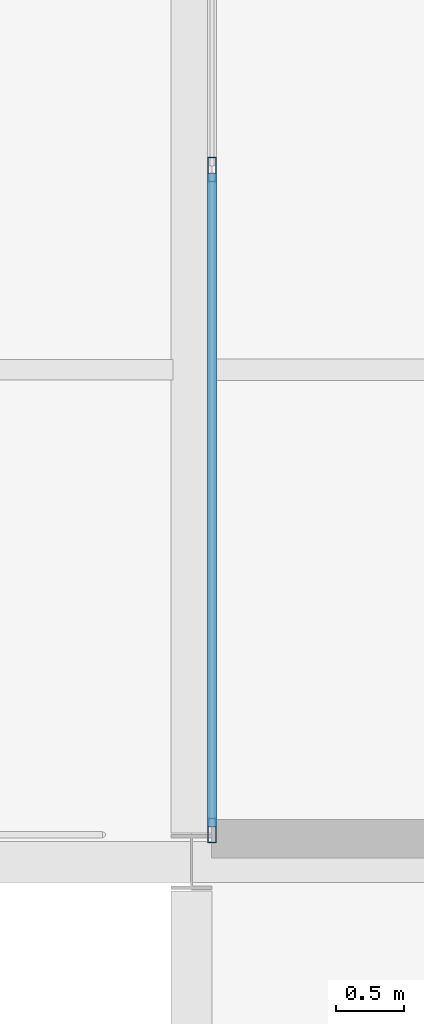
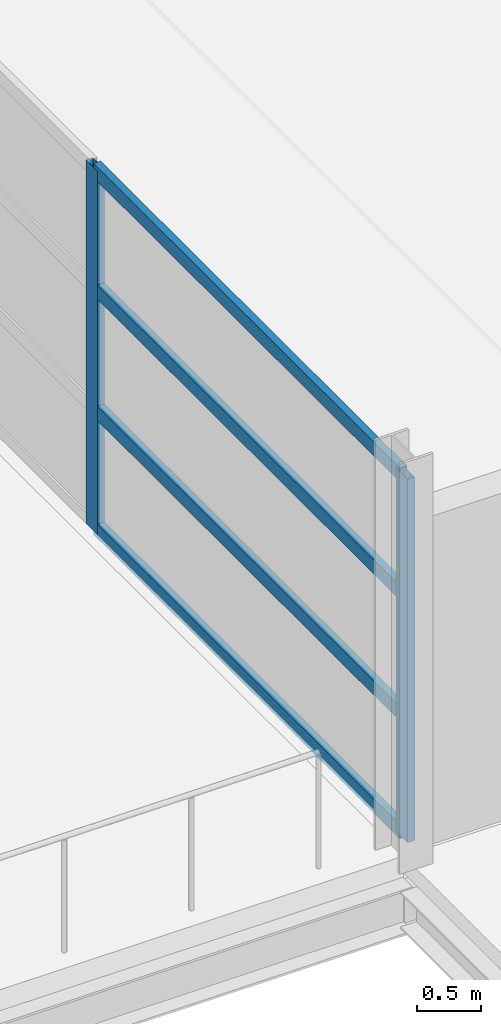
# One storey, part 6 of 33: 6 members, 1 element without a shape of its own.
"""IFC4 building model written with IfcOpenShell, lengths in metres."""

from ifc_helpers import new_model, si_unit, direction, frame, origin, origin_2d, place, context, subcontext, project, spatial, hollow_rectangle, extrude, material, layer, layer_set, material_profile, profile_set, type_object, element, aggregate, save


model = new_model("IFC4")

# Units and contexts
model_context = context("Model", 3, precision=1e-05, world=origin(), true_north=direction((0.0, 1.0)))
body_context = subcontext(model_context, "Body", "Model", "MODEL_VIEW")
ifc_project = project(units=[si_unit("LENGTHUNIT", "METRE"), si_unit("AREAUNIT", "SQUARE_METRE"), si_unit("VOLUMEUNIT", "CUBIC_METRE"), si_unit("PLANEANGLEUNIT", "RADIAN"), si_unit("MASSUNIT", "GRAM", prefix="KILO")], contexts=[model_context])

# Site, building, storey
site_placement = place(None, origin())
site = spatial("IfcSite", under=ifc_project, at=site_placement, CompositionType="ELEMENT")
building_placement = place(site_placement, origin())
building = spatial("IfcBuilding", under=site, at=building_placement, Name="Tamarisk Ironworks Central Station", CompositionType="ELEMENT")
storey_placement = place(building_placement, frame((0.0, 0.0, 21.300048828125)))
storey = spatial("IfcBuildingStorey", under=building, at=storey_placement, Name="L04", CompositionType="ELEMENT", Elevation=21.300048828125)

# Curtain wall, members
ifc_material = material(Name="Anodized aluminium alloy 6063-T6", Category="aluminium")
ifc_layer = layer(ifc_material, 0.179931640625)
ifc_layer_set = layer_set([ifc_layer], Name="Anodized aluminium alloy 6063-T6")
curtain_wall_type = type_object("IfcCurtainWallType", Name="CW-19", PredefinedType="USERDEFINED", material=ifc_layer_set)
curtain_wall_placement = place(storey_placement, origin())
curtain_wall = element("IfcCurtainWall", 1, at=curtain_wall_placement, inside=storey, type_object=curtain_wall_type, Name="Crown terrace overlook curtain wall L04-156", ObjectType="GLAZED CURTAIN WALL", PredefinedType="USERDEFINED")
ifc_material_profile_1 = material_profile(ifc_material, hollow_rectangle(XDim=0.06494140625, YDim=0.179931640625, WallThickness=0.00390625, at=origin_2d()), Name="ALUM 180x65")
ifc_profile_set_1 = profile_set([ifc_material_profile_1], Name="Anodized aluminium alloy 6063-T6")
member_type_1 = type_object("IfcMemberType", Name="CWM-02", PredefinedType="MULLION", material=ifc_profile_set_1)
member_1_placement = place(storey_placement, frame((128.14990234375, 90.23046875, 0.0), z_axis=(0.0, 0.0, 1.0), x_axis=(-1.0, 0.0, 0.0)))
member_1 = element("IfcMember", 2, at=member_1_placement, type_object=member_type_1, Name="CW19 mullion 1", PredefinedType="MULLION", context=body_context, shape_type="SweptSolid", body=[
    extrude(hollow_rectangle(XDim=0.06494140625, YDim=0.179931640625, WallThickness=0.00390625, at=origin_2d()), origin(), (0.0, 0.0, 1.0), 3.4599609375),
])
member_2_placement = place(storey_placement, frame((128.14990234375, 95.0654296875, 0.0), z_axis=(0.0, 0.0, 1.0), x_axis=(-1.0, 0.0, 0.0)))
member_2 = element("IfcMember", 3, at=member_2_placement, type_object=member_type_1, Name="CW19 mullion 2", PredefinedType="MULLION", context=body_context, shape_type="SweptSolid", body=[
    extrude(hollow_rectangle(XDim=0.06494140625, YDim=0.179931640625, WallThickness=0.00390625, at=origin_2d()), origin(), (0.0, 0.0, 1.0), 3.4599609375),
])
ifc_material_profile_2 = material_profile(ifc_material, hollow_rectangle(XDim=0.06494140625, YDim=0.135009765625, WallThickness=0.00341796875, at=origin_2d()), Name="ALUM 135x65")
ifc_profile_set_2 = profile_set([ifc_material_profile_2], Name="Anodized aluminium alloy 6063-T6")
member_type_2 = type_object("IfcMemberType", Name="CWT-02", PredefinedType="USERDEFINED", material=ifc_profile_set_2)
member_3_placement = place(storey_placement, frame((128.14990234375, 90.259033203125, 0.032470703125), z_axis=(0.0, 1.0, 0.0), x_axis=(-1.0, 0.0, 0.0)))
member_3 = element("IfcMember", 4, at=member_3_placement, type_object=member_type_2, Name="CW19 transom 1.1", ObjectType="TRANSOM", PredefinedType="USERDEFINED", context=body_context, shape_type="SweptSolid", body=[
    extrude(hollow_rectangle(XDim=0.06494140625, YDim=0.135009765625, WallThickness=0.00341796875, at=origin_2d()), origin(), (0.0, 0.0, 1.0), 4.77783203125),
])
member_4_placement = place(storey_placement, frame((128.14990234375, 90.259033203125, 1.1533203125), z_axis=(0.0, 1.0, 0.0), x_axis=(-1.0, 0.0, 0.0)))
member_4 = element("IfcMember", 5, at=member_4_placement, type_object=member_type_2, Name="CW19 transom 1.2", ObjectType="TRANSOM", PredefinedType="USERDEFINED", context=body_context, shape_type="SweptSolid", body=[
    extrude(hollow_rectangle(XDim=0.06494140625, YDim=0.135009765625, WallThickness=0.00341796875, at=origin_2d()), origin(), (0.0, 0.0, 1.0), 4.77783203125),
])
member_5_placement = place(storey_placement, frame((128.14990234375, 90.259033203125, 2.306640625), z_axis=(0.0, 1.0, 0.0), x_axis=(-1.0, 0.0, 0.0)))
member_5 = element("IfcMember", 6, at=member_5_placement, type_object=member_type_2, Name="CW19 transom 1.3", ObjectType="TRANSOM", PredefinedType="USERDEFINED", context=body_context, shape_type="SweptSolid", body=[
    extrude(hollow_rectangle(XDim=0.06494140625, YDim=0.135009765625, WallThickness=0.00341796875, at=origin_2d()), origin(), (0.0, 0.0, 1.0), 4.77783203125),
])
member_6_placement = place(storey_placement, frame((128.14990234375, 90.259033203125, 3.427490234375), z_axis=(0.0, 1.0, 0.0), x_axis=(-1.0, 0.0, 0.0)))
member_6 = element("IfcMember", 7, at=member_6_placement, type_object=member_type_2, Name="CW19 transom 1.4", ObjectType="TRANSOM", PredefinedType="USERDEFINED", context=body_context, shape_type="SweptSolid", body=[
    extrude(hollow_rectangle(XDim=0.06494140625, YDim=0.135009765625, WallThickness=0.00341796875, at=origin_2d()), origin(), (0.0, 0.0, 1.0), 4.77783203125),
])
aggregate(curtain_wall, [member_1, member_2, member_3, member_4, member_5, member_6])

save(model, "model.ifc")
